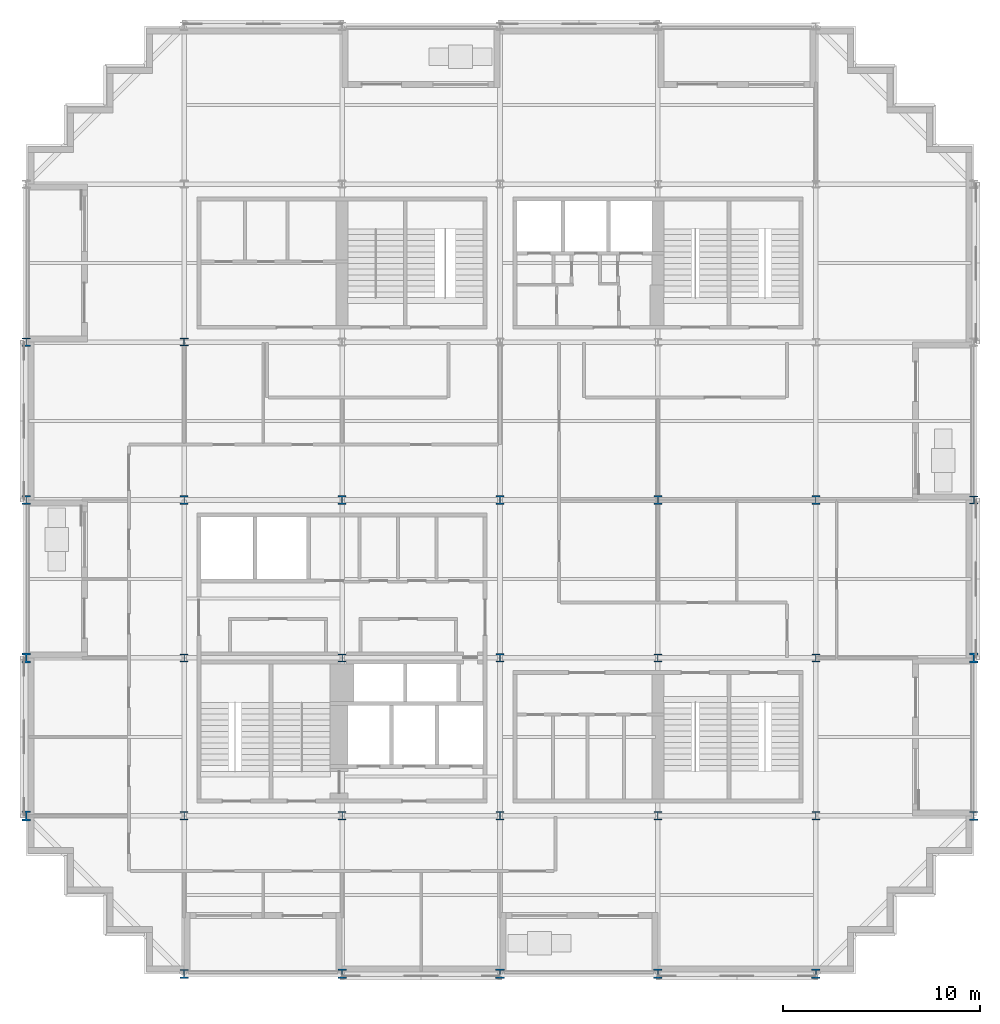
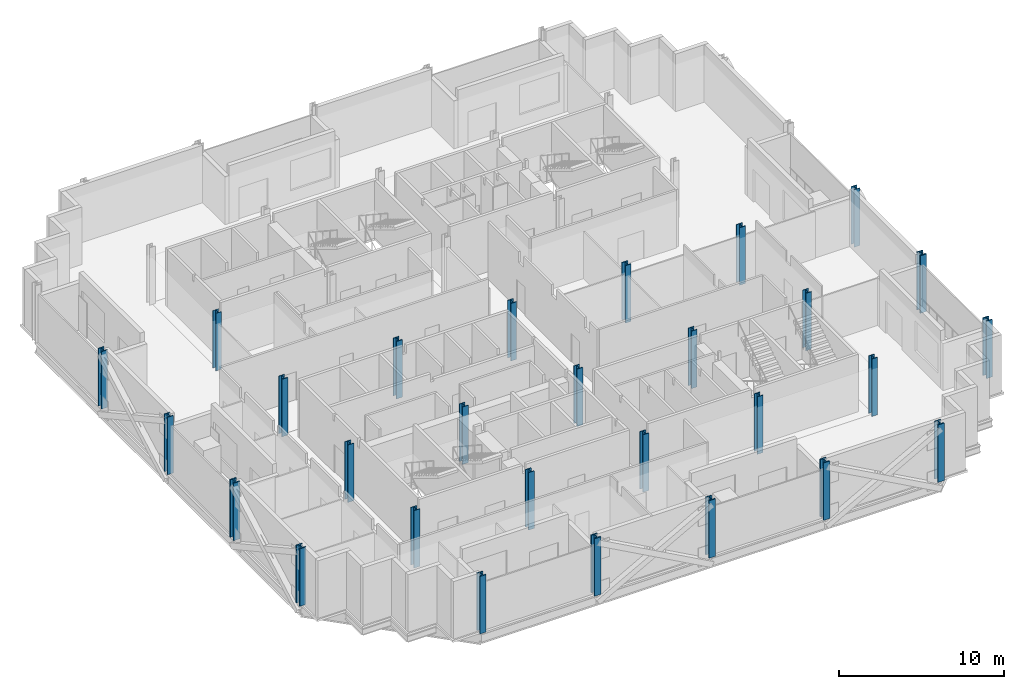
# One storey, part 1 of 15: 28 columns.
"""IFC4 building model written with IfcOpenShell, lengths in metres."""

from ifc_helpers import new_model, si_unit, direction, frame, origin, origin_2d, place, context, subcontext, project, spatial, i_section, extrude, material, material_profile, profile_set, type_object, element, save


model = new_model("IFC4")

# Units and contexts
model_context = context("Model", 3, precision=1e-05, world=origin(), true_north=direction((0.0, 1.0)))
body_context = subcontext(model_context, "Body", "Model", "MODEL_VIEW")
ifc_project = project(units=[si_unit("LENGTHUNIT", "METRE"), si_unit("AREAUNIT", "SQUARE_METRE"), si_unit("VOLUMEUNIT", "CUBIC_METRE"), si_unit("PLANEANGLEUNIT", "RADIAN"), si_unit("MASSUNIT", "GRAM", prefix="KILO")], contexts=[model_context])

# Site, building, storey
site_placement = place(None, origin())
site = spatial("IfcSite", under=ifc_project, at=site_placement, CompositionType="ELEMENT")
building_placement = place(site_placement, origin())
building = spatial("IfcBuilding", under=site, at=building_placement, Name="Immortelle Media Tower", CompositionType="ELEMENT")
storey_placement = place(building_placement, frame((0.0, 0.0, 83.199951171875)))
storey = spatial("IfcBuildingStorey", under=building, at=storey_placement, Name="L15", CompositionType="ELEMENT", Elevation=83.199951171875)

# Columns
ifc_material = material(Name="Steel ASTM A992 Gr 50", Category="steel")
ifc_material_profile_1 = material_profile(ifc_material, i_section(OverallWidth=0.39404296875, OverallDepth=0.3759765625, WebThickness=0.01708984375, FlangeThickness=0.028076171875, at=origin_2d()), Name="W14x145")
ifc_profile_set_1 = profile_set([ifc_material_profile_1], Name="Steel ASTM A992 Gr 50")
column_type_1 = type_object("IfcColumnType", Name="W14x145 column", PredefinedType="COLUMN", material=ifc_profile_set_1)
column_1_placement = place(storey_placement, frame((8.0, 32.0, 0.0), z_axis=(0.0, 0.0, 1.0), x_axis=(1.0, 0.0, 0.0)))
element("IfcColumn", 1, at=column_1_placement, inside=storey, type_object=column_type_1, Name="Column 2/E", PredefinedType="COLUMN", context=body_context, shape_type="SweptSolid", body=[
    extrude(i_section(OverallWidth=0.39404296875, OverallDepth=0.3759765625, WebThickness=0.01708984375, FlangeThickness=0.028076171875, at=origin_2d()), origin(), (0.0, 0.0, 1.0), 4.25),
])
ifc_material_profile_2 = material_profile(ifc_material, i_section(OverallWidth=0.40087890625, OverallDepth=0.39892578125, WebThickness=0.02490234375, FlangeThickness=0.0400390625, at=origin_2d()), Name="W14x211")
ifc_profile_set_2 = profile_set([ifc_material_profile_2], Name="Steel ASTM A992 Gr 50")
column_type_2 = type_object("IfcColumnType", Name="W14x211 column", PredefinedType="COLUMN", material=ifc_profile_set_2)
column_2_placement = place(storey_placement, frame((48.0, 24.0, 0.0), z_axis=(0.0, 0.0, 1.0), x_axis=(1.0, 0.0, 0.0)))
element("IfcColumn", 2, at=column_2_placement, inside=storey, type_object=column_type_2, Name="Column 7/D", PredefinedType="COLUMN", context=body_context, shape_type="SweptSolid", body=[
    extrude(i_section(OverallWidth=0.40087890625, OverallDepth=0.39892578125, WebThickness=0.02490234375, FlangeThickness=0.0400390625, at=origin_2d()), origin(), (0.0, 0.0, 1.0), 4.25),
])
ifc_material_profile_3 = material_profile(ifc_material, i_section(OverallWidth=0.406005859375, OverallDepth=0.4169921875, WebThickness=0.030029296875, FlangeThickness=0.048095703125, at=origin_2d()), Name="W14x257")
ifc_profile_set_3 = profile_set([ifc_material_profile_3], Name="Steel ASTM A992 Gr 50")
column_type_3 = type_object("IfcColumnType", Name="W14x257 column", PredefinedType="COLUMN", material=ifc_profile_set_3)
for number, where, z_axis, x_axis, name in (
    (3, (8.0, 8.0, 0.0), (0.0, 0.0, 1.0), (1.0, 0.0, 0.0), "Column 2/B"),
    (4, (8.0, 16.0, 0.0), (0.0, 0.0, 1.0), (1.0, 0.0, 0.0), "Column 2/C"),
    (5, (16.0, 8.0, 0.0), (0.0, 0.0, 1.0), (1.0, 0.0, 0.0), "Column 3/B"),
    (6, (16.0, 16.0, 0.0), (0.0, 0.0, 1.0), (1.0, 0.0, 0.0), "Column 3/C"),
    (7, (32.0, 8.0, 0.0), (0.0, 0.0, 1.0), (1.0, 0.0, 0.0), "Column 5/B"),
    (8, (32.0, 16.0, 0.0), (0.0, 0.0, 1.0), (1.0, 0.0, 0.0), "Column 5/C"),
    (9, (40.0, 8.0, 0.0), (0.0, 0.0, 1.0), (1.0, 0.0, 0.0), "Column 6/B"),
    (10, (40.0, 16.0, 0.0), (0.0, 0.0, 1.0), (1.0, 0.0, 0.0), "Column 6/C"),
):
    element("IfcColumn", number, at=place(storey_placement, frame(where, z_axis=z_axis, x_axis=x_axis)), inside=storey, type_object=column_type_3, Name=name, PredefinedType="COLUMN", context=body_context, shape_type="SweptSolid", body=[
        extrude(i_section(OverallWidth=0.406005859375, OverallDepth=0.4169921875, WebThickness=0.030029296875, FlangeThickness=0.048095703125, at=origin_2d()), origin(), (0.0, 0.0, 1.0), 4.25),
    ])
ifc_material_profile_4 = material_profile(ifc_material, i_section(OverallWidth=0.410888671875, OverallDepth=0.43408203125, WebThickness=0.035888671875, FlangeThickness=0.056884765625, at=origin_2d()), Name="W14x311")
ifc_profile_set_4 = profile_set([ifc_material_profile_4], Name="Steel ASTM A992 Gr 50")
column_type_4 = type_object("IfcColumnType", Name="W14x311 column", PredefinedType="COLUMN", material=ifc_profile_set_4)
for number, where, z_axis, x_axis, name in (
    (11, (0.0, 24.0, 0.0), (0.0, 0.0, 1.0), (1.0, 0.0, 0.0), "Column 1/D"),
    (12, (0.0, 32.0, 0.0), (0.0, 0.0, 1.0), (1.0, 0.0, 0.0), "Column 1/E"),
    (13, (8.0, 24.0, 0.0), (0.0, 0.0, 1.0), (1.0, 0.0, 0.0), "Column 2/D"),
    (14, (16.0, 24.0, 0.0), (0.0, 0.0, 1.0), (1.0, 0.0, 0.0), "Column 3/D"),
    (15, (24.0, 8.0, 0.0), (0.0, 0.0, 1.0), (1.0, 0.0, 0.0), "Column 4/B"),
    (16, (24.0, 16.0, 0.0), (0.0, 0.0, 1.0), (1.0, 0.0, 0.0), "Column 4/C"),
    (17, (24.0, 24.0, 0.0), (0.0, 0.0, 1.0), (1.0, 0.0, 0.0), "Column 4/D"),
    (18, (32.0, 24.0, 0.0), (0.0, 0.0, 1.0), (1.0, 0.0, 0.0), "Column 5/D"),
    (19, (40.0, 24.0, 0.0), (0.0, 0.0, 1.0), (1.0, 0.0, 0.0), "Column 6/D"),
):
    element("IfcColumn", number, at=place(storey_placement, frame(where, z_axis=z_axis, x_axis=x_axis)), inside=storey, type_object=column_type_4, Name=name, PredefinedType="COLUMN", context=body_context, shape_type="SweptSolid", body=[
        extrude(i_section(OverallWidth=0.410888671875, OverallDepth=0.43408203125, WebThickness=0.035888671875, FlangeThickness=0.056884765625, at=origin_2d()), origin(), (0.0, 0.0, 1.0), 4.25),
    ])
ifc_material_profile_5 = material_profile(ifc_material, i_section(OverallWidth=0.4189453125, OverallDepth=0.455078125, WebThickness=0.0419921875, FlangeThickness=0.068115234375, at=origin_2d()), Name="W14x370")
ifc_profile_set_5 = profile_set([ifc_material_profile_5], Name="Steel ASTM A992 Gr 50")
column_type_5 = type_object("IfcColumnType", Name="W14x370 column", PredefinedType="COLUMN", material=ifc_profile_set_5)
for number, where, z_axis, x_axis, name in (
    (20, (8.0, 0.0, 0.0), (0.0, 0.0, 1.0), (1.0, 0.0, 0.0), "Column 2/A"),
    (21, (48.0, 8.0, 0.0), (0.0, 0.0, 1.0), (1.0, 0.0, 0.0), "Column 7/B"),
):
    element("IfcColumn", number, at=place(storey_placement, frame(where, z_axis=z_axis, x_axis=x_axis)), inside=storey, type_object=column_type_5, Name=name, PredefinedType="COLUMN", context=body_context, shape_type="SweptSolid", body=[
        extrude(i_section(OverallWidth=0.4189453125, OverallDepth=0.455078125, WebThickness=0.0419921875, FlangeThickness=0.068115234375, at=origin_2d()), origin(), (0.0, 0.0, 1.0), 4.25),
    ])
ifc_material_profile_6 = material_profile(ifc_material, i_section(OverallWidth=0.431884765625, OverallDepth=0.498046875, WebThickness=0.055908203125, FlangeThickness=0.089111328125, at=origin_2d()), Name="W14x500")
ifc_profile_set_6 = profile_set([ifc_material_profile_6], Name="Steel ASTM A992 Gr 50")
column_type_6 = type_object("IfcColumnType", Name="W14x500 column", PredefinedType="COLUMN", material=ifc_profile_set_6)
for number, where, z_axis, x_axis, name in (
    (22, (0.0, 8.0, 0.0), (0.0, 0.0, 1.0), (1.0, 0.0, 0.0), "Column 1/B"),
    (23, (0.0, 16.0, 0.0), (0.0, 0.0, 1.0), (1.0, 0.0, 0.0), "Column 1/C"),
    (24, (16.0, 0.0, 0.0), (0.0, 0.0, 1.0), (1.0, 0.0, 0.0), "Column 3/A"),
    (25, (24.0, 0.0, 0.0), (0.0, 0.0, 1.0), (1.0, 0.0, 0.0), "Column 4/A"),
    (26, (32.0, 0.0, 0.0), (0.0, 0.0, 1.0), (1.0, 0.0, 0.0), "Column 5/A"),
    (27, (40.0, 0.0, 0.0), (0.0, 0.0, 1.0), (1.0, 0.0, 0.0), "Column 6/A"),
    (28, (48.0, 16.0, 0.0), (0.0, 0.0, 1.0), (1.0, 0.0, 0.0), "Column 7/C"),
):
    element("IfcColumn", number, at=place(storey_placement, frame(where, z_axis=z_axis, x_axis=x_axis)), inside=storey, type_object=column_type_6, Name=name, PredefinedType="COLUMN", context=body_context, shape_type="SweptSolid", body=[
        extrude(i_section(OverallWidth=0.431884765625, OverallDepth=0.498046875, WebThickness=0.055908203125, FlangeThickness=0.089111328125, at=origin_2d()), origin(), (0.0, 0.0, 1.0), 4.25),
    ])

save(model, "model.ifc")
